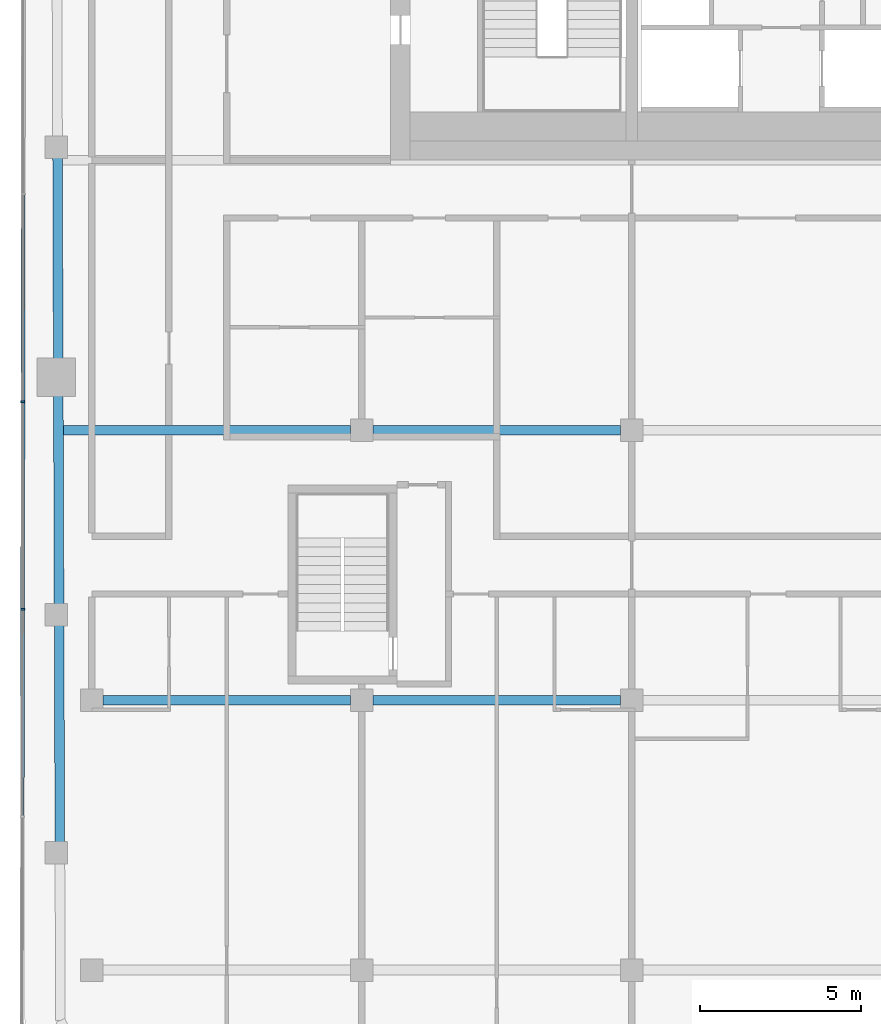
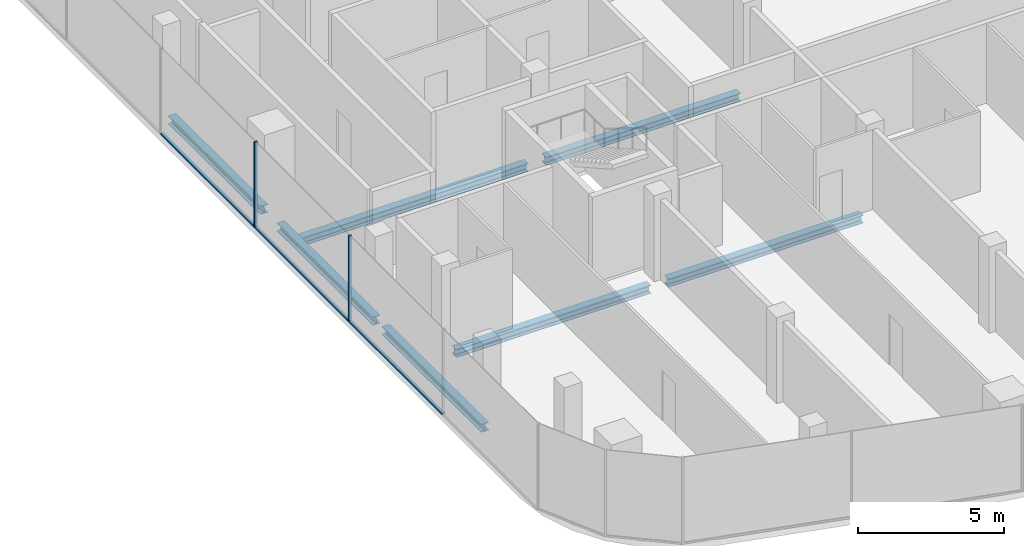
# One storey, part 4 of 19: 7 beams, 5 members, 1 element without a shape of its own.
"""IFC4 building model written with IfcOpenShell, lengths in metres."""

from ifc_helpers import new_model, si_unit, direction, frame, origin, origin_2d, place, context, subcontext, project, spatial, rectangle, i_section, extrude, material, layer, layer_set, material_profile, profile_set, type_object, element, aggregate, save


model = new_model("IFC4")

# Units and contexts
model_context = context("Model", 3, precision=1e-05, world=origin(), true_north=direction((0.0, 1.0)))
body_context = subcontext(model_context, "Body", "Model", "MODEL_VIEW")
ifc_project = project(units=[si_unit("LENGTHUNIT", "METRE"), si_unit("AREAUNIT", "SQUARE_METRE"), si_unit("VOLUMEUNIT", "CUBIC_METRE"), si_unit("PLANEANGLEUNIT", "RADIAN"), si_unit("MASSUNIT", "GRAM", prefix="KILO")], contexts=[model_context])

# Site, building, storey
site_placement = place(None, origin())
site = spatial("IfcSite", under=ifc_project, at=site_placement, CompositionType="ELEMENT")
building_placement = place(site_placement, origin())
building = spatial("IfcBuilding", under=site, at=building_placement, Name="Marenta Gate Hotel Tower", CompositionType="ELEMENT")
storey_placement = place(building_placement, frame((0.0, 0.0, 274.10009765625)))
storey = spatial("IfcBuildingStorey", under=building, at=storey_placement, Name="L63", CompositionType="ELEMENT", Elevation=274.10009765625)

# Beams
ifc_material_1 = material(Name="Steel S355", Category="steel")
ifc_material_profile_1 = material_profile(ifc_material_1, i_section(OverallWidth=0.300048828125, OverallDepth=0.340087890625, WebThickness=0.011962890625, FlangeThickness=0.021484375, FilletRadius=0.027099609375, at=origin_2d()), Name="HEB 340")
ifc_profile_set_1 = profile_set([ifc_material_profile_1], Name="Steel S355")
beam_type_1 = type_object("IfcBeamType", Name="Edge beam HEB 340", PredefinedType="SPANDREL", material=ifc_profile_set_1)
beam_1_placement = place(storey_placement, frame((-21.99365234375, -21.241943359375, -0.43017578125), z_axis=(-0.003312313063, 0.999994514276, 0.0), x_axis=(-0.999994514276, -0.003312313063, 0.0)))
element("IfcBeam", 1, at=beam_1_placement, inside=storey, type_object=beam_type_1, Name="L63-EB-6", PredefinedType="SPANDREL", context=body_context, shape_type="SweptSolid", body=[
    extrude(i_section(OverallWidth=0.300048828125, OverallDepth=0.340087890625, WebThickness=0.011962890625, FlangeThickness=0.021484375, FilletRadius=0.027099609375, at=origin_2d()), origin(), (0.0, 0.0, 1.0), 6.781005859375),
])
beam_2_placement = place(storey_placement, frame((-22.01806640625, -13.8408203125, -0.43017578125), z_axis=(-0.003364466939, 0.999994340165, 0.0), x_axis=(-0.999994340165, -0.003364466939, 0.0)))
element("IfcBeam", 2, at=beam_2_placement, inside=storey, type_object=beam_type_1, Name="L63-EB-7", PredefinedType="SPANDREL", context=body_context, shape_type="SweptSolid", body=[
    extrude(i_section(OverallWidth=0.300048828125, OverallDepth=0.340087890625, WebThickness=0.011962890625, FlangeThickness=0.021484375, FilletRadius=0.027099609375, at=origin_2d()), origin(), (0.0, 0.0, 1.0), 6.53076171875),
])
beam_3_placement = place(storey_placement, frame((-22.043701171875, -6.18994140625, -0.43017578125), z_axis=(-0.003302748539, 0.999994545911, 0.0), x_axis=(-0.999994545911, -0.003302748539, 0.0)))
element("IfcBeam", 3, at=beam_3_placement, inside=storey, type_object=beam_type_1, Name="L63-EB-8", PredefinedType="SPANDREL", context=body_context, shape_type="SweptSolid", body=[
    extrude(i_section(OverallWidth=0.300048828125, OverallDepth=0.340087890625, WebThickness=0.011962890625, FlangeThickness=0.021484375, FilletRadius=0.027099609375, at=origin_2d()), origin(), (0.0, 0.0, 1.0), 6.283203125),
])
ifc_material_2 = material(Name="Steel S355", Category="steel")
ifc_material_profile_2 = material_profile(ifc_material_2, i_section(OverallWidth=0.300048828125, OverallDepth=0.340087890625, WebThickness=0.011962890625, FlangeThickness=0.021484375, FilletRadius=0.027099609375, at=origin_2d()), Name="HEB 340")
ifc_profile_set_2 = profile_set([ifc_material_profile_2], Name="Steel S355")
beam_type_2 = type_object("IfcBeamType", Name="Girder HEB 340", PredefinedType="BEAM", material=ifc_profile_set_2)
for number, where, z_axis, x_axis, name in (
    (4, (-20.64990234375, -16.800048828125, -0.43017578125), (1.0, 0.0, 0.0), (0.0, 1.0, 0.0), "L63-GD-6"),
    (5, (-12.25, -16.800048828125, -0.43017578125), (1.0, 0.0, 0.0), (0.0, 1.0, 0.0), "L63-GD-7"),
):
    element("IfcBeam", number, at=place(storey_placement, frame(where, z_axis=z_axis, x_axis=x_axis)), inside=storey, type_object=beam_type_2, Name=name, PredefinedType="BEAM", context=body_context, shape_type="SweptSolid", body=[
        extrude(i_section(OverallWidth=0.300048828125, OverallDepth=0.340087890625, WebThickness=0.011962890625, FlangeThickness=0.021484375, FilletRadius=0.027099609375, at=origin_2d()), origin(), (0.0, 0.0, 1.0), 7.699951171875),
    ])
beam_4_placement = place(storey_placement, frame((-21.88623046875, -8.39990234375, -0.43017578125), z_axis=(1.0, 0.0, 0.0), x_axis=(0.0, 1.0, 0.0)))
element("IfcBeam", 6, at=beam_4_placement, inside=storey, type_object=beam_type_2, Name="L63-GD-11", PredefinedType="BEAM", context=body_context, shape_type="SweptSolid", body=[
    extrude(i_section(OverallWidth=0.300048828125, OverallDepth=0.340087890625, WebThickness=0.011962890625, FlangeThickness=0.021484375, FilletRadius=0.027099609375, at=origin_2d()), origin(), (0.0, 0.0, 1.0), 8.936279296875),
])
beam_5_placement = place(storey_placement, frame((-12.25, -8.39990234375, -0.43017578125), z_axis=(1.0, 0.0, 0.0), x_axis=(0.0, 1.0, 0.0)))
element("IfcBeam", 7, at=beam_5_placement, inside=storey, type_object=beam_type_2, Name="L63-GD-12", PredefinedType="BEAM", context=body_context, shape_type="SweptSolid", body=[
    extrude(i_section(OverallWidth=0.300048828125, OverallDepth=0.340087890625, WebThickness=0.011962890625, FlangeThickness=0.021484375, FilletRadius=0.027099609375, at=origin_2d()), origin(), (0.0, 0.0, 1.0), 7.699951171875),
])

# Curtain wall, members
ifc_material_3 = material(Name="Tinted insulated glass in bronze anodised frame", Category="glass")
ifc_layer = layer(ifc_material_3, 0.1201171875)
ifc_layer_set = layer_set([ifc_layer], Name="Tinted insulated glass in bronze anodised frame")
curtain_wall_type = type_object("IfcCurtainWallType", Name="Tower unitised curtain wall CW1", PredefinedType="NOTDEFINED", material=ifc_layer_set)
curtain_wall_placement = place(storey_placement, origin())
curtain_wall = element("IfcCurtainWall", 8, at=curtain_wall_placement, inside=storey, type_object=curtain_wall_type, Name="CW1 run G03", PredefinedType="NOTDEFINED")
ifc_material_4 = material(Name="Bronze anodised aluminium", Category="aluminium")
ifc_material_profile_3 = material_profile(ifc_material_4, rectangle(XDim=0.1201171875, YDim=0.06005859375, at=origin_2d()), Name="Mullion CW1 60x120 bronze anodised aluminium")
ifc_profile_set_3 = profile_set([ifc_material_profile_3], Name="Bronze anodised aluminium")
member_type_1 = type_object("IfcMemberType", Name="Mullion CW1 60x120 bronze anodised aluminium", PredefinedType="MULLION", material=ifc_profile_set_3)
member_1_placement = place(storey_placement, frame((-23.142578125, -7.513916015625, 0.0), z_axis=(0.0, 0.0, 1.0), x_axis=(0.99999877375, -0.001566045546, 0.0)))
member_1 = element("IfcMember", 9, at=member_1_placement, type_object=member_type_1, Name="CW1 mullion 4", PredefinedType="MULLION", context=body_context, shape_type="SweptSolid", body=[
    extrude(rectangle(XDim=0.1201171875, YDim=0.06005859375, at=origin_2d()), origin(), (0.0, 0.0, 1.0), 3.599853515625),
])
member_2_placement = place(storey_placement, frame((-23.15283203125, -13.973876953125, 0.0), z_axis=(0.0, 0.0, 1.0), x_axis=(0.99999877375, -0.001566045546, 0.0)))
member_2 = element("IfcMember", 10, at=member_2_placement, type_object=member_type_1, Name="CW1 mullion 5", PredefinedType="MULLION", context=body_context, shape_type="SweptSolid", body=[
    extrude(rectangle(XDim=0.1201171875, YDim=0.06005859375, at=origin_2d()), origin(), (0.0, 0.0, 1.0), 3.599853515625),
])
ifc_material_5 = material(Name="Bronze anodised aluminium", Category="aluminium")
ifc_material_profile_4 = material_profile(ifc_material_5, rectangle(XDim=0.1201171875, YDim=0.06005859375, at=origin_2d()), Name="Transom CW1 60x120 bronze anodised aluminium")
ifc_profile_set_4 = profile_set([ifc_material_profile_4], Name="Bronze anodised aluminium")
member_type_2 = type_object("IfcMemberType", Name="Transom CW1 60x120 bronze anodised aluminium", PredefinedType="USERDEFINED", material=ifc_profile_set_4)
member_3_placement = place(storey_placement, frame((-23.132568359375, -1.083740234375, 0.02978515625), z_axis=(-0.001563988169, -0.99999877697, 0.0), x_axis=(0.99999877697, -0.001563988169, 0.0)))
member_3 = element("IfcMember", 11, at=member_3_placement, type_object=member_type_2, Name="CW1 transom 3.1", ObjectType="TRANSOM", PredefinedType="USERDEFINED", context=body_context, shape_type="SweptSolid", body=[
    extrude(rectangle(XDim=0.1201171875, YDim=0.06005859375, at=origin_2d()), origin(), (0.0, 0.0, 1.0), 6.400146484375),
])
member_4_placement = place(storey_placement, frame((-23.142578125, -7.543701171875, 0.02978515625), z_axis=(-0.001602134125, -0.999998716582, 0.0), x_axis=(0.999998716582, -0.001602134125, 0.0)))
member_4 = element("IfcMember", 12, at=member_4_placement, type_object=member_type_2, Name="CW1 transom 4.1", ObjectType="TRANSOM", PredefinedType="USERDEFINED", context=body_context, shape_type="SweptSolid", body=[
    extrude(rectangle(XDim=0.1201171875, YDim=0.06005859375, at=origin_2d()), origin(), (0.0, 0.0, 1.0), 6.400146484375),
])
member_5_placement = place(storey_placement, frame((-23.15283203125, -14.00390625, 0.02978515625), z_axis=(-0.001564047831, -0.999998776876, 0.0), x_axis=(0.999998776876, -0.001564047831, 0.0)))
member_5 = element("IfcMember", 13, at=member_5_placement, type_object=member_type_2, Name="CW1 transom 5.1", ObjectType="TRANSOM", PredefinedType="USERDEFINED", context=body_context, shape_type="SweptSolid", body=[
    extrude(rectangle(XDim=0.1201171875, YDim=0.06005859375, at=origin_2d()), origin(), (0.0, 0.0, 1.0), 6.39990234375),
])
aggregate(curtain_wall, [member_1, member_2, member_3, member_4, member_5])

save(model, "model.ifc")
